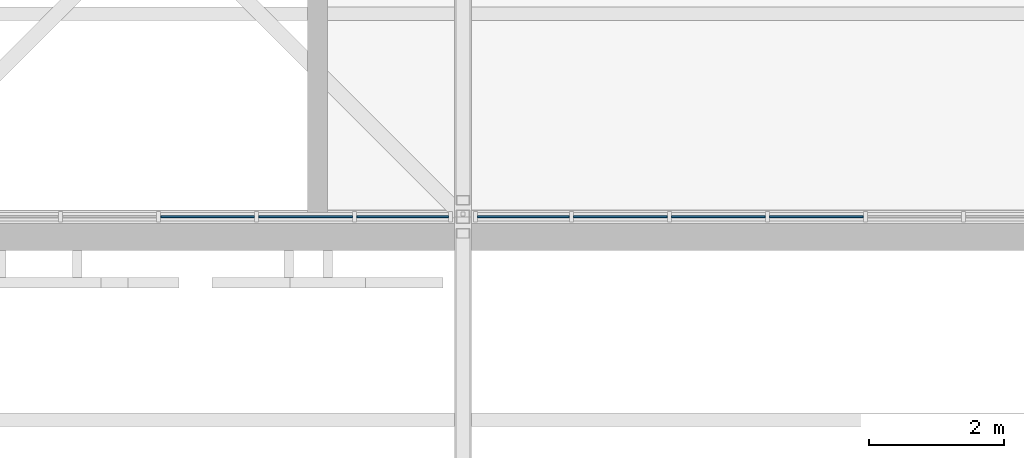
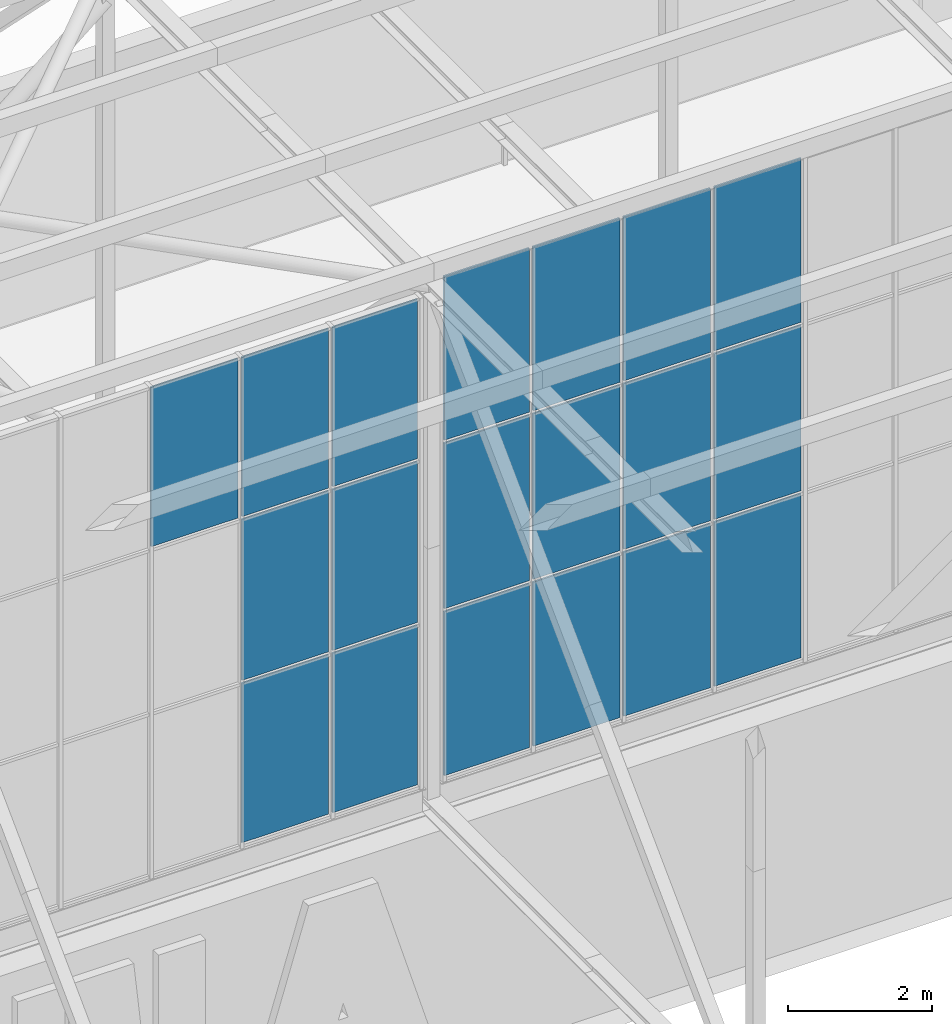
# One storey, part 147 of 646: 19 plates, 2 elements without a shape of their own.
"""IFC4 building model written with IfcOpenShell, lengths in metres."""

from ifc_helpers import new_model, si_unit, direction, frame, origin, origin_2d, place, context, subcontext, project, spatial, rectangle, extrude, material, layer, layer_set, type_object, element, aggregate, save


model = new_model("IFC4")

# Units and contexts
model_context = context("Model", 3, precision=1e-05, world=origin(), true_north=direction((0.0, 1.0)))
body_context = subcontext(model_context, "Body", "Model", "MODEL_VIEW")
ifc_project = project(units=[si_unit("LENGTHUNIT", "METRE"), si_unit("AREAUNIT", "SQUARE_METRE"), si_unit("VOLUMEUNIT", "CUBIC_METRE"), si_unit("PLANEANGLEUNIT", "RADIAN"), si_unit("MASSUNIT", "GRAM", prefix="KILO")], contexts=[model_context])

# Site, building, storey
site_placement = place(None, origin())
site = spatial("IfcSite", under=ifc_project, at=site_placement, CompositionType="ELEMENT")
building_placement = place(site_placement, origin())
building = spatial("IfcBuilding", under=site, at=building_placement, Name="Silverbay Arena", CompositionType="ELEMENT")
storey_placement = place(building_placement, frame((0.0, 0.0, 33.5)))
storey = spatial("IfcBuildingStorey", under=building, at=storey_placement, Name="L05", CompositionType="ELEMENT", Elevation=33.5)

# Curtain wall, plates
ifc_material_1 = material(Name="Aluminium framed glazing", Category="aluminium")
curtain_wall_type_1 = type_object("IfcCurtainWallType", Name="Curtain wall clerestory 8693 x 8303", PredefinedType="NOTDEFINED", material=ifc_material_1)
curtain_wall_1_placement = place(storey_placement, origin())
curtain_wall_1 = element("IfcCurtainWall", 1, at=curtain_wall_1_placement, inside=storey, type_object=curtain_wall_type_1, Name="ROOF CLERESTORY CURTAIN WALL south bay 13", PredefinedType="NOTDEFINED")
ifc_material_2 = material(Name="Laminated glass", Category="glass")
ifc_layer = layer(ifc_material_2, 0.028076171875)
ifc_layer_set = layer_set([ifc_layer], Name="Laminated glass")
plate_type = type_object("IfcPlateType", Name="Glass panel 28", PredefinedType="CURTAIN_PANEL", material=ifc_layer_set)
plate_1_placement = place(storey_placement, frame((167.224365234375, 18.0, 10.0205078125), z_axis=(0.0, 0.0, 1.0), x_axis=(1.0, 0.0, 0.0)))
plate_1 = element("IfcPlate", 2, at=plate_1_placement, type_object=plate_type, Name="CW54 panel 4.3", PredefinedType="CURTAIN_PANEL", context=body_context, shape_type="SweptSolid", body=[
    extrude(rectangle(XDim=1.388671875, YDim=0.028076171875, at=origin_2d()), origin(), (0.0, 0.0, 1.0), 2.69287109375),
])
plate_2_placement = place(storey_placement, frame((168.673095703125, 18.0, 4.510009765625), z_axis=(0.0, 0.0, 1.0), x_axis=(1.0, 0.0, 0.0)))
plate_2 = element("IfcPlate", 3, at=plate_2_placement, type_object=plate_type, Name="CW54 panel 5.1", PredefinedType="CURTAIN_PANEL", context=body_context, shape_type="SweptSolid", body=[
    extrude(rectangle(XDim=1.388671875, YDim=0.028076171875, at=origin_2d()), origin(), (0.0, 0.0, 1.0), 2.69287109375),
])
plate_3_placement = place(storey_placement, frame((168.673095703125, 18.0, 7.2529296875), z_axis=(0.0, 0.0, 1.0), x_axis=(1.0, 0.0, 0.0)))
plate_3 = element("IfcPlate", 4, at=plate_3_placement, type_object=plate_type, Name="CW54 panel 5.2", PredefinedType="CURTAIN_PANEL", context=body_context, shape_type="SweptSolid", body=[
    extrude(rectangle(XDim=1.388671875, YDim=0.028076171875, at=origin_2d()), origin(), (0.0, 0.0, 1.0), 2.7177734375),
])
plate_4_placement = place(storey_placement, frame((168.673095703125, 18.0, 10.0205078125), z_axis=(0.0, 0.0, 1.0), x_axis=(1.0, 0.0, 0.0)))
plate_4 = element("IfcPlate", 5, at=plate_4_placement, type_object=plate_type, Name="CW54 panel 5.3", PredefinedType="CURTAIN_PANEL", context=body_context, shape_type="SweptSolid", body=[
    extrude(rectangle(XDim=1.388671875, YDim=0.028076171875, at=origin_2d()), origin(), (0.0, 0.0, 1.0), 2.69287109375),
])
plate_5_placement = place(storey_placement, frame((170.10693359375, 18.0, 4.510009765625), z_axis=(0.0, 0.0, 1.0), x_axis=(1.0, 0.0, 0.0)))
plate_5 = element("IfcPlate", 6, at=plate_5_placement, type_object=plate_type, Name="CW54 panel 6.1", PredefinedType="CURTAIN_PANEL", context=body_context, shape_type="SweptSolid", body=[
    extrude(rectangle(XDim=1.35888671875, YDim=0.028076171875, at=origin_2d()), origin(), (0.0, 0.0, 1.0), 2.69287109375),
])
plate_6_placement = place(storey_placement, frame((170.10693359375, 18.0, 7.2529296875), z_axis=(0.0, 0.0, 1.0), x_axis=(1.0, 0.0, 0.0)))
plate_6 = element("IfcPlate", 7, at=plate_6_placement, type_object=plate_type, Name="CW54 panel 6.2", PredefinedType="CURTAIN_PANEL", context=body_context, shape_type="SweptSolid", body=[
    extrude(rectangle(XDim=1.35888671875, YDim=0.028076171875, at=origin_2d()), origin(), (0.0, 0.0, 1.0), 2.7177734375),
])
plate_7_placement = place(storey_placement, frame((170.10693359375, 18.0, 10.0205078125), z_axis=(0.0, 0.0, 1.0), x_axis=(1.0, 0.0, 0.0)))
plate_7 = element("IfcPlate", 8, at=plate_7_placement, type_object=plate_type, Name="CW54 panel 6.3", PredefinedType="CURTAIN_PANEL", context=body_context, shape_type="SweptSolid", body=[
    extrude(rectangle(XDim=1.35888671875, YDim=0.028076171875, at=origin_2d()), origin(), (0.0, 0.0, 1.0), 2.69287109375),
])
aggregate(curtain_wall_1, [plate_1, plate_2, plate_3, plate_4, plate_5, plate_6, plate_7])

ifc_material_3 = material(Name="Aluminium framed glazing", Category="aluminium")
curtain_wall_type_2 = type_object("IfcCurtainWallType", Name="Curtain wall clerestory 8693 x 8540", PredefinedType="NOTDEFINED", material=ifc_material_3)
curtain_wall_2_placement = place(storey_placement, origin())
curtain_wall_2 = element("IfcCurtainWall", 9, at=curtain_wall_2_placement, inside=storey, type_object=curtain_wall_type_2, Name="ROOF CLERESTORY CURTAIN WALL south bay 14", PredefinedType="NOTDEFINED")
plate_8_placement = place(storey_placement, frame((171.89306640625, 18.0, 4.509765625), z_axis=(0.0, 0.0, 1.0), x_axis=(1.0, 0.0, 0.0)))
plate_8 = element("IfcPlate", 10, at=plate_8_placement, type_object=plate_type, Name="CW55 panel 1.1", PredefinedType="CURTAIN_PANEL", context=body_context, shape_type="SweptSolid", body=[
    extrude(rectangle(XDim=1.35888671875, YDim=0.028076171875, at=origin_2d()), origin(), (0.0, 0.0, 1.0), 2.771728515625),
])
plate_9_placement = place(storey_placement, frame((171.89306640625, 18.0, 7.33154296875), z_axis=(0.0, 0.0, 1.0), x_axis=(1.0, 0.0, 0.0)))
plate_9 = element("IfcPlate", 11, at=plate_9_placement, type_object=plate_type, Name="CW55 panel 1.2", PredefinedType="CURTAIN_PANEL", context=body_context, shape_type="SweptSolid", body=[
    extrude(rectangle(XDim=1.35888671875, YDim=0.028076171875, at=origin_2d()), origin(), (0.0, 0.0, 1.0), 2.796630859375),
])
plate_10_placement = place(storey_placement, frame((171.89306640625, 18.0, 10.17822265625), z_axis=(0.0, 0.0, 1.0), x_axis=(1.0, 0.0, 0.0)))
plate_10 = element("IfcPlate", 12, at=plate_10_placement, type_object=plate_type, Name="CW55 panel 1.3", PredefinedType="CURTAIN_PANEL", context=body_context, shape_type="SweptSolid", body=[
    extrude(rectangle(XDim=1.35888671875, YDim=0.028076171875, at=origin_2d()), origin(), (0.0, 0.0, 1.0), 2.771728515625),
])
plate_11_placement = place(storey_placement, frame((173.326904296875, 18.0, 4.509765625), z_axis=(0.0, 0.0, 1.0), x_axis=(1.0, 0.0, 0.0)))
plate_11 = element("IfcPlate", 13, at=plate_11_placement, type_object=plate_type, Name="CW55 panel 2.1", PredefinedType="CURTAIN_PANEL", context=body_context, shape_type="SweptSolid", body=[
    extrude(rectangle(XDim=1.388671875, YDim=0.028076171875, at=origin_2d()), origin(), (0.0, 0.0, 1.0), 2.771728515625),
])
plate_12_placement = place(storey_placement, frame((173.326904296875, 18.0, 7.33154296875), z_axis=(0.0, 0.0, 1.0), x_axis=(1.0, 0.0, 0.0)))
plate_12 = element("IfcPlate", 14, at=plate_12_placement, type_object=plate_type, Name="CW55 panel 2.2", PredefinedType="CURTAIN_PANEL", context=body_context, shape_type="SweptSolid", body=[
    extrude(rectangle(XDim=1.388671875, YDim=0.028076171875, at=origin_2d()), origin(), (0.0, 0.0, 1.0), 2.796630859375),
])
plate_13_placement = place(storey_placement, frame((173.326904296875, 18.0, 10.17822265625), z_axis=(0.0, 0.0, 1.0), x_axis=(1.0, 0.0, 0.0)))
plate_13 = element("IfcPlate", 15, at=plate_13_placement, type_object=plate_type, Name="CW55 panel 2.3", PredefinedType="CURTAIN_PANEL", context=body_context, shape_type="SweptSolid", body=[
    extrude(rectangle(XDim=1.388671875, YDim=0.028076171875, at=origin_2d()), origin(), (0.0, 0.0, 1.0), 2.771728515625),
])
plate_14_placement = place(storey_placement, frame((174.775634765625, 18.0, 4.509765625), z_axis=(0.0, 0.0, 1.0), x_axis=(1.0, 0.0, 0.0)))
plate_14 = element("IfcPlate", 16, at=plate_14_placement, type_object=plate_type, Name="CW55 panel 3.1", PredefinedType="CURTAIN_PANEL", context=body_context, shape_type="SweptSolid", body=[
    extrude(rectangle(XDim=1.388671875, YDim=0.028076171875, at=origin_2d()), origin(), (0.0, 0.0, 1.0), 2.771728515625),
])
plate_15_placement = place(storey_placement, frame((174.775634765625, 18.0, 7.33154296875), z_axis=(0.0, 0.0, 1.0), x_axis=(1.0, 0.0, 0.0)))
plate_15 = element("IfcPlate", 17, at=plate_15_placement, type_object=plate_type, Name="CW55 panel 3.2", PredefinedType="CURTAIN_PANEL", context=body_context, shape_type="SweptSolid", body=[
    extrude(rectangle(XDim=1.388671875, YDim=0.028076171875, at=origin_2d()), origin(), (0.0, 0.0, 1.0), 2.796630859375),
])
plate_16_placement = place(storey_placement, frame((174.775634765625, 18.0, 10.17822265625), z_axis=(0.0, 0.0, 1.0), x_axis=(1.0, 0.0, 0.0)))
plate_16 = element("IfcPlate", 18, at=plate_16_placement, type_object=plate_type, Name="CW55 panel 3.3", PredefinedType="CURTAIN_PANEL", context=body_context, shape_type="SweptSolid", body=[
    extrude(rectangle(XDim=1.388671875, YDim=0.028076171875, at=origin_2d()), origin(), (0.0, 0.0, 1.0), 2.771728515625),
])
plate_17_placement = place(storey_placement, frame((176.224365234375, 18.0, 4.509765625), z_axis=(0.0, 0.0, 1.0), x_axis=(1.0, 0.0, 0.0)))
plate_17 = element("IfcPlate", 19, at=plate_17_placement, type_object=plate_type, Name="CW55 panel 4.1", PredefinedType="CURTAIN_PANEL", context=body_context, shape_type="SweptSolid", body=[
    extrude(rectangle(XDim=1.388671875, YDim=0.028076171875, at=origin_2d()), origin(), (0.0, 0.0, 1.0), 2.771728515625),
])
plate_18_placement = place(storey_placement, frame((176.224365234375, 18.0, 7.33154296875), z_axis=(0.0, 0.0, 1.0), x_axis=(1.0, 0.0, 0.0)))
plate_18 = element("IfcPlate", 20, at=plate_18_placement, type_object=plate_type, Name="CW55 panel 4.2", PredefinedType="CURTAIN_PANEL", context=body_context, shape_type="SweptSolid", body=[
    extrude(rectangle(XDim=1.388671875, YDim=0.028076171875, at=origin_2d()), origin(), (0.0, 0.0, 1.0), 2.796630859375),
])
plate_19_placement = place(storey_placement, frame((176.224365234375, 18.0, 10.17822265625), z_axis=(0.0, 0.0, 1.0), x_axis=(1.0, 0.0, 0.0)))
plate_19 = element("IfcPlate", 21, at=plate_19_placement, type_object=plate_type, Name="CW55 panel 4.3", PredefinedType="CURTAIN_PANEL", context=body_context, shape_type="SweptSolid", body=[
    extrude(rectangle(XDim=1.388671875, YDim=0.028076171875, at=origin_2d()), origin(), (0.0, 0.0, 1.0), 2.771728515625),
])
aggregate(curtain_wall_2, [plate_8, plate_9, plate_10, plate_11, plate_12, plate_13, plate_14, plate_15, plate_16, plate_17, plate_18, plate_19])

save(model, "model.ifc")
